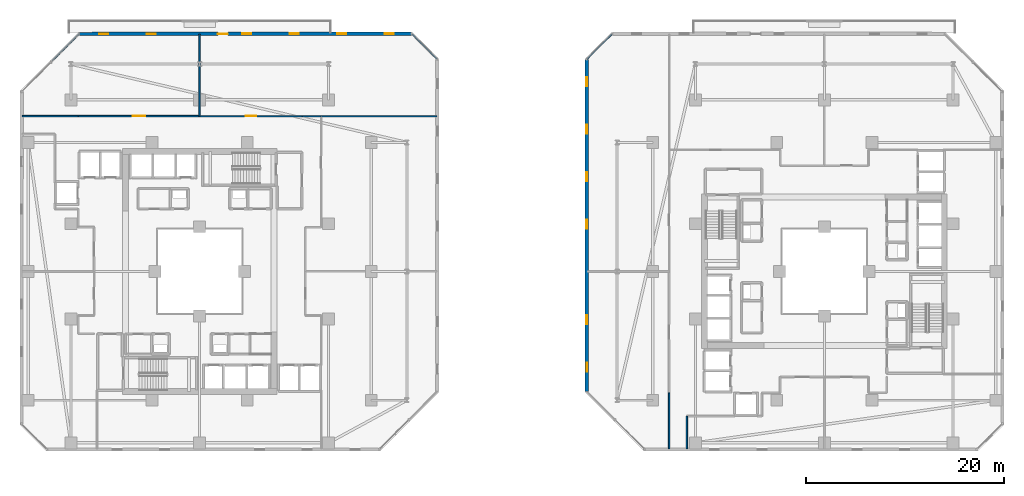
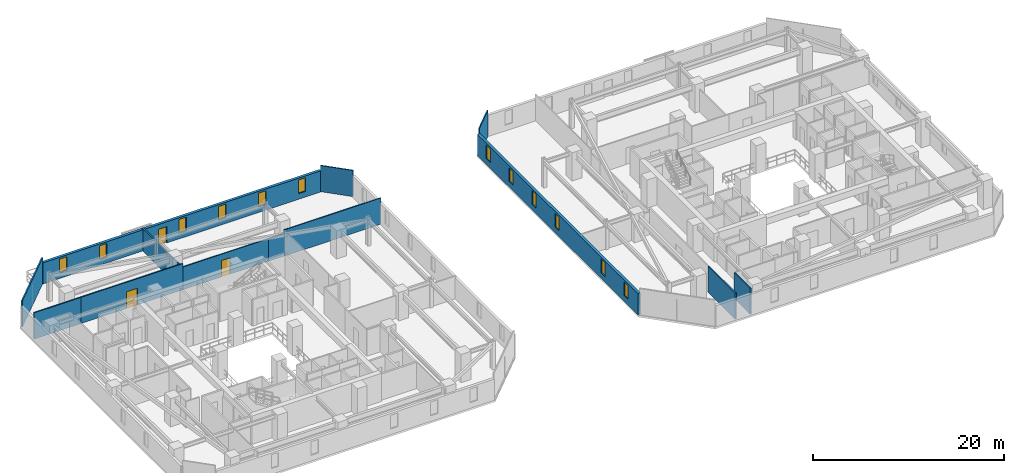
# One storey, part 19 of 30: 13 walls, 12 windows, 3 doors, 15 openings.
"""IFC4 building model written with IfcOpenShell, lengths in metres."""

from ifc_helpers import new_model, si_unit, direction, frame, frame_2d, origin, place, context, subcontext, project, spatial, rectangle, extrude, material, layer, layer_set, type_object, element, fill, save


model = new_model("IFC4")

# Units and contexts
model_context = context("Model", 3, precision=1e-05, world=origin(), true_north=direction((0.0, 1.0)))
body_context = subcontext(model_context, "Body", "Model", "MODEL_VIEW")
ifc_project = project(units=[si_unit("LENGTHUNIT", "METRE"), si_unit("AREAUNIT", "SQUARE_METRE"), si_unit("VOLUMEUNIT", "CUBIC_METRE"), si_unit("PLANEANGLEUNIT", "RADIAN"), si_unit("MASSUNIT", "GRAM", prefix="KILO")], contexts=[model_context])

# Site, building, storey
site_placement = place(None, origin())
site = spatial("IfcSite", under=ifc_project, at=site_placement, CompositionType="ELEMENT")
building_placement = place(site_placement, origin())
building = spatial("IfcBuilding", under=site, at=building_placement, Name="Thornwick Lancets Civic Towers", CompositionType="ELEMENT")
storey_placement = place(building_placement, frame((0.0, 0.0, 80.10009765625)))
storey = spatial("IfcBuildingStorey", under=building, at=storey_placement, Name="L20", CompositionType="ELEMENT", Elevation=80.10009765625)

# Wall, openings, door, windows
ifc_material_1 = material(Name="Insulated buff terracotta rainscreen on concrete C40/50", Category="masonry")
ifc_layer_1 = layer(ifc_material_1, 0.320068359375, Name="Insulated buff terracotta rainscreen on concrete C40/50")
ifc_layer_set_1 = layer_set([ifc_layer_1], Name="Insulated buff terracotta rainscreen on concrete C40/50")
wall_type_1 = type_object("IfcWallType", Name="WALL_EXT_TERRA_320", PredefinedType="STANDARD", material=ifc_layer_set_1)
wall_1_placement = place(storey_placement, frame((46.88134765625, 50.964599609375, 0.0), z_axis=(0.0, 0.0, 1.0), x_axis=(-0.999999950907, -0.000313347115, 0.0)))
wall_1 = element("IfcWall", 1, at=wall_1_placement, inside=storey, type_object=wall_type_1, Name="L20 Tower A Terracotta Facade Wall E4", PredefinedType="STANDARD", context=body_context, shape_type="SweptSolid", body=[
    extrude(rectangle(XDim=33.5029296875, YDim=0.320068359375, at=frame_2d((16.75146484375, 0.0))), origin(), (0.0, 0.0, 1.0), 2.699951171875),
])
opening_1_placement = place(wall_1_placement, frame((18.551513671875, 0.0, 0.0)))
opening_1 = element("IfcOpeningElement", 2, at=opening_1_placement, cuts=wall_1, Name="Opening D-BL-L20-AN", PredefinedType="OPENING", context=body_context, shape_type="SweptSolid", body=[
    extrude(rectangle(XDim=1.0, YDim=2.080078125, at=frame_2d((0.5, 1.0400390625))), frame((0.0, 0.169921875, 0.0), z_axis=(0.0, -1.0, 0.0), x_axis=(1.0, 0.0, 0.0)), (0.0, 0.0, 1.0), 0.340087890625),
])
opening_2_placement = place(wall_1_placement, frame((1.800048828125, 0.0, 0.719970703125)))
opening_2 = element("IfcOpeningElement", 3, at=opening_2_placement, cuts=wall_1, Name="Opening WL-01", PredefinedType="OPENING", context=body_context, shape_type="SweptSolid", body=[
    extrude(rectangle(XDim=0.89990234375, YDim=1.75, at=frame_2d((0.449951171875, 0.875))), frame((0.0, 0.169921875, 0.0), z_axis=(0.0, -1.0, 0.0), x_axis=(1.0, 0.0, 0.0)), (0.0, 0.0, 1.0), 0.340087890625),
])
opening_3_placement = place(wall_1_placement, frame((6.60009765625, 0.0, 0.719970703125)))
opening_3 = element("IfcOpeningElement", 4, at=opening_3_placement, cuts=wall_1, Name="Opening WL-01", PredefinedType="OPENING", context=body_context, shape_type="SweptSolid", body=[
    extrude(rectangle(XDim=0.89990234375, YDim=1.75, at=frame_2d((0.449951171875, 0.875))), frame((0.0, 0.169921875, 0.0), z_axis=(0.0, -1.0, 0.0), x_axis=(1.0, 0.0, 0.0)), (0.0, 0.0, 1.0), 0.340087890625),
])
opening_4_placement = place(wall_1_placement, frame((11.39990234375, 0.0, 0.719970703125)))
opening_4 = element("IfcOpeningElement", 5, at=opening_4_placement, cuts=wall_1, Name="Opening WL-01", PredefinedType="OPENING", context=body_context, shape_type="SweptSolid", body=[
    extrude(rectangle(XDim=0.89990234375, YDim=1.75, at=frame_2d((0.449951171875, 0.875))), frame((0.0, 0.169921875, 0.0), z_axis=(0.0, -1.0, 0.0), x_axis=(1.0, 0.0, 0.0)), (0.0, 0.0, 1.0), 0.340087890625),
])
opening_5_placement = place(wall_1_placement, frame((16.199951171875, 0.0, 0.719970703125)))
opening_5 = element("IfcOpeningElement", 6, at=opening_5_placement, cuts=wall_1, Name="Opening WL-01", PredefinedType="OPENING", context=body_context, shape_type="SweptSolid", body=[
    extrude(rectangle(XDim=0.89990234375, YDim=1.75, at=frame_2d((0.449951171875, 0.875))), frame((0.0, 0.169921875, 0.0), z_axis=(0.0, -1.0, 0.0), x_axis=(1.0, 0.0, 0.0)), (0.0, 0.0, 1.0), 0.340087890625),
])
opening_6_placement = place(wall_1_placement, frame((25.800048828125, 0.0, 0.719970703125)))
opening_6 = element("IfcOpeningElement", 7, at=opening_6_placement, cuts=wall_1, Name="Opening WL-01", PredefinedType="OPENING", context=body_context, shape_type="SweptSolid", body=[
    extrude(rectangle(XDim=0.89990234375, YDim=1.75, at=frame_2d((0.449951171875, 0.875))), frame((0.0, 0.169921875, 0.0), z_axis=(0.0, -1.0, 0.0), x_axis=(1.0, 0.0, 0.0)), (0.0, 0.0, 1.0), 0.340087890625),
])
opening_7_placement = place(wall_1_placement, frame((30.60009765625, 0.0, 0.719970703125)))
opening_7 = element("IfcOpeningElement", 8, at=opening_7_placement, cuts=wall_1, Name="Opening WL-01", PredefinedType="OPENING", context=body_context, shape_type="SweptSolid", body=[
    extrude(rectangle(XDim=0.89990234375, YDim=1.75, at=frame_2d((0.449951171875, 0.875))), frame((0.0, 0.169921875, 0.0), z_axis=(0.0, -1.0, 0.0), x_axis=(1.0, 0.0, 0.0)), (0.0, 0.0, 1.0), 0.340087890625),
])
ifc_material_2 = material(Name="Thermally broken glazed loggia doorset")
door_type_1 = type_object("IfcDoorType", Name="DOOR_BALC_1000", OperationType="NOTDEFINED", PredefinedType="DOOR", material=ifc_material_2)
door_1_placement = place(opening_1_placement, origin())
door_1 = element("IfcDoor", 9, at=door_1_placement, inside=storey, type_object=door_type_1, Name="L20 Tower A Loggia Balcony Door N", OperationType="SINGLE_SWING_LEFT", OverallHeight=2.080078125, OverallWidth=1.0, PredefinedType="DOOR", context=body_context, shape_type="SweptSolid", body=[
    extrude(rectangle(XDim=1.0, YDim=2.080078125, at=frame_2d((0.5, 1.0400390625))), frame((0.0, 0.02490234375, 0.0), z_axis=(0.0, -1.0, 0.0), x_axis=(1.0, 0.0, 0.0)), (0.0, 0.0, 1.0), 0.050048828125),
])
fill(opening_1, door_1)
ifc_material_3 = material(Name="Clear low-e double glazing in bronze frame", Category="glass")
window_type = type_object("IfcWindowType", Name="WIN_LANCET_900", PartitioningType="SINGLE_PANEL", PredefinedType="WINDOW", material=ifc_material_3)
window_1_placement = place(opening_2_placement, origin())
window_1 = element("IfcWindow", 10, at=window_1_placement, inside=storey, type_object=window_type, Name="L20 Tower A Staggered Lancet Window E4-1", OverallHeight=1.75, OverallWidth=0.89990234375, PartitioningType="SINGLE_PANEL", PredefinedType="WINDOW", context=body_context, shape_type="SweptSolid", body=[
    extrude(rectangle(XDim=0.89990234375, YDim=1.75, at=frame_2d((0.449951171875, 0.875))), frame((0.0, 0.030029296875, 0.0), z_axis=(0.0, -1.0, 0.0), x_axis=(1.0, 0.0, 0.0)), (0.0, 0.0, 1.0), 0.06005859375),
])
fill(opening_2, window_1)
window_2_placement = place(opening_3_placement, origin())
window_2 = element("IfcWindow", 11, at=window_2_placement, inside=storey, type_object=window_type, Name="L20 Tower A Staggered Lancet Window E4-2", OverallHeight=1.75, OverallWidth=0.89990234375, PartitioningType="SINGLE_PANEL", PredefinedType="WINDOW", context=body_context, shape_type="SweptSolid", body=[
    extrude(rectangle(XDim=0.89990234375, YDim=1.75, at=frame_2d((0.449951171875, 0.875))), frame((0.0, 0.030029296875, 0.0), z_axis=(0.0, -1.0, 0.0), x_axis=(1.0, 0.0, 0.0)), (0.0, 0.0, 1.0), 0.06005859375),
])
fill(opening_3, window_2)
window_3_placement = place(opening_4_placement, origin())
window_3 = element("IfcWindow", 12, at=window_3_placement, inside=storey, type_object=window_type, Name="L20 Tower A Staggered Lancet Window E4-3", OverallHeight=1.75, OverallWidth=0.89990234375, PartitioningType="SINGLE_PANEL", PredefinedType="WINDOW", context=body_context, shape_type="SweptSolid", body=[
    extrude(rectangle(XDim=0.89990234375, YDim=1.75, at=frame_2d((0.449951171875, 0.875))), frame((0.0, 0.030029296875, 0.0), z_axis=(0.0, -1.0, 0.0), x_axis=(1.0, 0.0, 0.0)), (0.0, 0.0, 1.0), 0.06005859375),
])
fill(opening_4, window_3)
window_4_placement = place(opening_5_placement, origin())
window_4 = element("IfcWindow", 13, at=window_4_placement, inside=storey, type_object=window_type, Name="L20 Tower A Staggered Lancet Window E4-4", OverallHeight=1.75, OverallWidth=0.89990234375, PartitioningType="SINGLE_PANEL", PredefinedType="WINDOW", context=body_context, shape_type="SweptSolid", body=[
    extrude(rectangle(XDim=0.89990234375, YDim=1.75, at=frame_2d((0.449951171875, 0.875))), frame((0.0, 0.030029296875, 0.0), z_axis=(0.0, -1.0, 0.0), x_axis=(1.0, 0.0, 0.0)), (0.0, 0.0, 1.0), 0.06005859375),
])
fill(opening_5, window_4)
window_5_placement = place(opening_6_placement, origin())
window_5 = element("IfcWindow", 14, at=window_5_placement, inside=storey, type_object=window_type, Name="L20 Tower A Staggered Lancet Window E4-5", OverallHeight=1.75, OverallWidth=0.89990234375, PartitioningType="SINGLE_PANEL", PredefinedType="WINDOW", context=body_context, shape_type="SweptSolid", body=[
    extrude(rectangle(XDim=0.89990234375, YDim=1.75, at=frame_2d((0.449951171875, 0.875))), frame((0.0, 0.030029296875, 0.0), z_axis=(0.0, -1.0, 0.0), x_axis=(1.0, 0.0, 0.0)), (0.0, 0.0, 1.0), 0.06005859375),
])
fill(opening_6, window_5)
window_6_placement = place(opening_7_placement, origin())
window_6 = element("IfcWindow", 15, at=window_6_placement, inside=storey, type_object=window_type, Name="L20 Tower A Staggered Lancet Window E4-6", OverallHeight=1.75, OverallWidth=0.89990234375, PartitioningType="SINGLE_PANEL", PredefinedType="WINDOW", context=body_context, shape_type="SweptSolid", body=[
    extrude(rectangle(XDim=0.89990234375, YDim=1.75, at=frame_2d((0.449951171875, 0.875))), frame((0.0, 0.030029296875, 0.0), z_axis=(0.0, -1.0, 0.0), x_axis=(1.0, 0.0, 0.0)), (0.0, 0.0, 1.0), 0.06005859375),
])
fill(opening_7, window_6)

# Wall, openings, windows
wall_2_placement = place(storey_placement, frame((64.535400390625, 48.38134765625, 0.0), z_axis=(0.0, 0.0, 1.0), x_axis=(0.000313347115, -0.999999950907, 0.0)))
wall_2 = element("IfcWall", 16, at=wall_2_placement, inside=storey, type_object=wall_type_1, Name="L20 Tower B Terracotta Facade Wall E6", PredefinedType="STANDARD", context=body_context, shape_type="SweptSolid", body=[
    extrude(rectangle(XDim=33.5029296875, YDim=0.320068359375, at=frame_2d((16.75146484375, 0.0))), origin(), (0.0, 0.0, 1.0), 2.699951171875),
])
opening_8_placement = place(wall_2_placement, frame((1.800048828125, 0.0, 0.719970703125)))
opening_8 = element("IfcOpeningElement", 17, at=opening_8_placement, cuts=wall_2, Name="Opening WL-01", PredefinedType="OPENING", context=body_context, shape_type="SweptSolid", body=[
    extrude(rectangle(XDim=0.89990234375, YDim=1.75, at=frame_2d((0.449951171875, 0.875))), frame((0.0, 0.169921875, 0.0), z_axis=(0.0, -1.0, 0.0), x_axis=(1.0, 0.0, 0.0)), (0.0, 0.0, 1.0), 0.340087890625),
])
opening_9_placement = place(wall_2_placement, frame((6.60009765625, 0.0, 0.719970703125)))
opening_9 = element("IfcOpeningElement", 18, at=opening_9_placement, cuts=wall_2, Name="Opening WL-01", PredefinedType="OPENING", context=body_context, shape_type="SweptSolid", body=[
    extrude(rectangle(XDim=0.89990234375, YDim=1.75, at=frame_2d((0.449951171875, 0.875))), frame((0.0, 0.169921875, 0.0), z_axis=(0.0, -1.0, 0.0), x_axis=(1.0, 0.0, 0.0)), (0.0, 0.0, 1.0), 0.340087890625),
])
opening_10_placement = place(wall_2_placement, frame((11.39990234375, 0.0, 0.719970703125)))
opening_10 = element("IfcOpeningElement", 19, at=opening_10_placement, cuts=wall_2, Name="Opening WL-01", PredefinedType="OPENING", context=body_context, shape_type="SweptSolid", body=[
    extrude(rectangle(XDim=0.89990234375, YDim=1.75, at=frame_2d((0.449951171875, 0.875))), frame((0.0, 0.169921875, 0.0), z_axis=(0.0, -1.0, 0.0), x_axis=(1.0, 0.0, 0.0)), (0.0, 0.0, 1.0), 0.340087890625),
])
opening_11_placement = place(wall_2_placement, frame((16.199951171875, 0.0, 0.719970703125)))
opening_11 = element("IfcOpeningElement", 20, at=opening_11_placement, cuts=wall_2, Name="Opening WL-01", PredefinedType="OPENING", context=body_context, shape_type="SweptSolid", body=[
    extrude(rectangle(XDim=0.89990234375, YDim=1.75, at=frame_2d((0.449951171875, 0.875))), frame((0.0, 0.169921875, 0.0), z_axis=(0.0, -1.0, 0.0), x_axis=(1.0, 0.0, 0.0)), (0.0, 0.0, 1.0), 0.340087890625),
])
opening_12_placement = place(wall_2_placement, frame((25.800048828125, 0.0, 0.719970703125)))
opening_12 = element("IfcOpeningElement", 21, at=opening_12_placement, cuts=wall_2, Name="Opening WL-01", PredefinedType="OPENING", context=body_context, shape_type="SweptSolid", body=[
    extrude(rectangle(XDim=0.89990234375, YDim=1.75, at=frame_2d((0.449951171875, 0.875))), frame((0.0, 0.169921875, 0.0), z_axis=(0.0, -1.0, 0.0), x_axis=(1.0, 0.0, 0.0)), (0.0, 0.0, 1.0), 0.340087890625),
])
opening_13_placement = place(wall_2_placement, frame((30.60009765625, 0.0, 0.719970703125)))
opening_13 = element("IfcOpeningElement", 22, at=opening_13_placement, cuts=wall_2, Name="Opening WL-01", PredefinedType="OPENING", context=body_context, shape_type="SweptSolid", body=[
    extrude(rectangle(XDim=0.89990234375, YDim=1.75, at=frame_2d((0.449951171875, 0.875))), frame((0.0, 0.169921875, 0.0), z_axis=(0.0, -1.0, 0.0), x_axis=(1.0, 0.0, 0.0)), (0.0, 0.0, 1.0), 0.340087890625),
])
window_7_placement = place(opening_8_placement, origin())
window_7 = element("IfcWindow", 23, at=window_7_placement, inside=storey, type_object=window_type, Name="L20 Tower B Staggered Lancet Window E6-1", OverallHeight=1.75, OverallWidth=0.89990234375, PartitioningType="SINGLE_PANEL", PredefinedType="WINDOW", context=body_context, shape_type="SweptSolid", body=[
    extrude(rectangle(XDim=0.89990234375, YDim=1.75, at=frame_2d((0.449951171875, 0.875))), frame((0.0, 0.030029296875, 0.0), z_axis=(0.0, -1.0, 0.0), x_axis=(1.0, 0.0, 0.0)), (0.0, 0.0, 1.0), 0.06005859375),
])
fill(opening_8, window_7)
window_8_placement = place(opening_9_placement, origin())
window_8 = element("IfcWindow", 24, at=window_8_placement, inside=storey, type_object=window_type, Name="L20 Tower B Staggered Lancet Window E6-2", OverallHeight=1.75, OverallWidth=0.89990234375, PartitioningType="SINGLE_PANEL", PredefinedType="WINDOW", context=body_context, shape_type="SweptSolid", body=[
    extrude(rectangle(XDim=0.89990234375, YDim=1.75, at=frame_2d((0.449951171875, 0.875))), frame((0.0, 0.030029296875, 0.0), z_axis=(0.0, -1.0, 0.0), x_axis=(1.0, 0.0, 0.0)), (0.0, 0.0, 1.0), 0.06005859375),
])
fill(opening_9, window_8)
window_9_placement = place(opening_10_placement, origin())
window_9 = element("IfcWindow", 25, at=window_9_placement, inside=storey, type_object=window_type, Name="L20 Tower B Staggered Lancet Window E6-3", OverallHeight=1.75, OverallWidth=0.89990234375, PartitioningType="SINGLE_PANEL", PredefinedType="WINDOW", context=body_context, shape_type="SweptSolid", body=[
    extrude(rectangle(XDim=0.89990234375, YDim=1.75, at=frame_2d((0.449951171875, 0.875))), frame((0.0, 0.030029296875, 0.0), z_axis=(0.0, -1.0, 0.0), x_axis=(1.0, 0.0, 0.0)), (0.0, 0.0, 1.0), 0.06005859375),
])
fill(opening_10, window_9)
window_10_placement = place(opening_11_placement, origin())
window_10 = element("IfcWindow", 26, at=window_10_placement, inside=storey, type_object=window_type, Name="L20 Tower B Staggered Lancet Window E6-4", OverallHeight=1.75, OverallWidth=0.89990234375, PartitioningType="SINGLE_PANEL", PredefinedType="WINDOW", context=body_context, shape_type="SweptSolid", body=[
    extrude(rectangle(XDim=0.89990234375, YDim=1.75, at=frame_2d((0.449951171875, 0.875))), frame((0.0, 0.030029296875, 0.0), z_axis=(0.0, -1.0, 0.0), x_axis=(1.0, 0.0, 0.0)), (0.0, 0.0, 1.0), 0.06005859375),
])
fill(opening_11, window_10)
window_11_placement = place(opening_12_placement, origin())
window_11 = element("IfcWindow", 27, at=window_11_placement, inside=storey, type_object=window_type, Name="L20 Tower B Staggered Lancet Window E6-5", OverallHeight=1.75, OverallWidth=0.89990234375, PartitioningType="SINGLE_PANEL", PredefinedType="WINDOW", context=body_context, shape_type="SweptSolid", body=[
    extrude(rectangle(XDim=0.89990234375, YDim=1.75, at=frame_2d((0.449951171875, 0.875))), frame((0.0, 0.030029296875, 0.0), z_axis=(0.0, -1.0, 0.0), x_axis=(1.0, 0.0, 0.0)), (0.0, 0.0, 1.0), 0.06005859375),
])
fill(opening_12, window_11)
window_12_placement = place(opening_13_placement, origin())
window_12 = element("IfcWindow", 28, at=window_12_placement, inside=storey, type_object=window_type, Name="L20 Tower B Staggered Lancet Window E6-6", OverallHeight=1.75, OverallWidth=0.89990234375, PartitioningType="SINGLE_PANEL", PredefinedType="WINDOW", context=body_context, shape_type="SweptSolid", body=[
    extrude(rectangle(XDim=0.89990234375, YDim=1.75, at=frame_2d((0.449951171875, 0.875))), frame((0.0, 0.030029296875, 0.0), z_axis=(0.0, -1.0, 0.0), x_axis=(1.0, 0.0, 0.0)), (0.0, 0.0, 1.0), 0.06005859375),
])
fill(opening_13, window_12)

# Walls
ifc_material_4 = material(Name="Acoustic gypsum board partition")
ifc_layer_2 = layer(ifc_material_4, 0.1201171875, Name="Acoustic gypsum board partition")
ifc_layer_set_2 = layer_set([ifc_layer_2], Name="Acoustic gypsum board partition")
wall_type_2 = type_object("IfcWallType", Name="WALL_PART_120", PredefinedType="PARTITIONING", material=ifc_layer_set_2)
wall_3_placement = place(storey_placement, frame((37.75, 42.64990234375, 0.0), z_axis=(0.0, 0.0, 1.0), x_axis=(1.0, 0.0, 0.0)))
element("IfcWall", 29, at=wall_3_placement, inside=storey, type_object=wall_type_2, Name="L20 Partition L20-A-E2 E4", PredefinedType="PARTITIONING", context=body_context, shape_type="SweptSolid", body=[
    extrude(rectangle(XDim=11.669921875, YDim=0.1201171875, at=frame_2d((5.8349609375, 0.0))), origin(), (0.0, 0.0, 1.0), 3.33984375),
])
wall_4_placement = place(storey_placement, frame((37.75, 42.64990234375, 0.0), z_axis=(0.0, 0.0, 1.0), x_axis=(-1.0, 0.0, 0.0)))
element("IfcWall", 30, at=wall_4_placement, inside=storey, type_object=wall_type_2, Name="L20 Partition L20-A-N-OFF E1", PredefinedType="PARTITIONING", context=body_context, shape_type="SweptSolid", body=[
    extrude(rectangle(XDim=1.89990234375, YDim=0.1201171875, at=frame_2d((0.949951171875, 0.0))), origin(), (0.0, 0.0, 1.0), 2.89501953125),
])

# Wall, opening, door
wall_5_placement = place(storey_placement, frame((35.85009765625, 42.64990234375, 0.0), z_axis=(0.0, 0.0, 1.0), x_axis=(-1.0, 0.0, 0.0)))
wall_5 = element("IfcWall", 31, at=wall_5_placement, inside=storey, type_object=wall_type_2, Name="L20 Partition L20-A-N-OFF E2", PredefinedType="PARTITIONING", context=body_context, shape_type="SweptSolid", body=[
    extrude(rectangle(XDim=10.35009765625, YDim=0.1201171875, at=frame_2d((5.175048828125, 0.0))), origin(), (0.0, 0.0, 1.0), 2.89501953125),
])
opening_14_placement = place(wall_5_placement, frame((4.64990234375, 0.0, 0.0)))
opening_14 = element("IfcOpeningElement", 32, at=opening_14_placement, cuts=wall_5, Name="Opening D-L20-0958", PredefinedType="OPENING", context=body_context, shape_type="SweptSolid", body=[
    extrude(rectangle(XDim=1.050048828125, YDim=2.10009765625, at=frame_2d((0.52490234375, 1.050048828125))), frame((0.0, 0.070068359375, 0.0), z_axis=(0.0, -1.0, 0.0), x_axis=(1.0, 0.0, 0.0)), (0.0, 0.0, 1.0), 0.14013671875),
])
ifc_material_5 = material(Name="Glazed European oak executive doorset")
door_type_2 = type_object("IfcDoorType", Name="DOOR_OFFICE_1050", OperationType="NOTDEFINED", PredefinedType="DOOR", material=ifc_material_5)
door_2_placement = place(opening_14_placement, origin())
door_2 = element("IfcDoor", 33, at=door_2_placement, inside=storey, type_object=door_type_2, Name="L20 Tower A North Policy Office Door", OperationType="SINGLE_SWING_LEFT", OverallHeight=2.10009765625, OverallWidth=1.050048828125, PredefinedType="DOOR", context=body_context, shape_type="SweptSolid", body=[
    extrude(rectangle(XDim=1.050048828125, YDim=2.10009765625, at=frame_2d((0.52490234375, 1.050048828125))), frame((0.0, 0.02490234375, 0.0), z_axis=(0.0, -1.0, 0.0), x_axis=(1.0, 0.0, 0.0)), (0.0, 0.0, 1.0), 0.050048828125),
])
fill(opening_14, door_2)

# Walls
for number, where, z_axis, x_axis, name in (
    (34, (46.92529296875, 50.919921875, 0.0), (0.0, 0.0, 1.0), (0.707106781187, -0.707106781187, 0.0), "L20 Partition L20-A-N-OFF E5"),
    (35, (64.580078125, 48.42529296875, 0.0), (0.0, 0.0, 1.0), (0.707106781187, 0.707106781187, 0.0), "L20 Partition L20-B-N-OFF E2"),
):
    element("IfcWall", number, at=place(storey_placement, frame(where, z_axis=z_axis, x_axis=x_axis)), inside=storey, type_object=wall_type_2, Name=name, PredefinedType="PARTITIONING", context=body_context, shape_type="SweptSolid", body=[
        extrude(rectangle(XDim=3.52783203125, YDim=0.1201171875, at=frame_2d((1.763916015625, 0.0))), origin(), (0.0, 0.0, 1.0), 3.33984375),
    ])
ifc_material_6 = material(Name="Twin-stud acoustic gypsum board")
ifc_layer_3 = layer(ifc_material_6, 0.14990234375, Name="Twin-stud acoustic gypsum board")
ifc_layer_set_3 = layer_set([ifc_layer_3], Name="Twin-stud acoustic gypsum board")
wall_type_3 = type_object("IfcWallType", Name="WALL_PART_150", PredefinedType="PARTITIONING", material=ifc_layer_set_3)
wall_6_placement = place(storey_placement, frame((13.25, 42.64990234375, 0.0), z_axis=(0.0, 0.0, 1.0), x_axis=(-1.0, 0.0, 0.0)))
element("IfcWall", 36, at=wall_6_placement, inside=storey, type_object=wall_type_3, Name="L20 Partition L20-A-N-CONF E1", PredefinedType="PARTITIONING", context=body_context, shape_type="SweptSolid", body=[
    extrude(rectangle(XDim=5.669921875, YDim=0.14990234375, at=frame_2d((2.8349609375, 0.0))), origin(), (0.0, 0.0, 1.0), 3.33984375),
])
wall_7_placement = place(storey_placement, frame((7.580078125, 45.15234375, 0.0), z_axis=(0.0, 0.0, 1.0), x_axis=(0.707106781187, 0.707106781187, 0.0)))
element("IfcWall", 37, at=wall_7_placement, inside=storey, type_object=wall_type_3, Name="L20 Partition L20-A-N-CONF E3", PredefinedType="PARTITIONING", context=body_context, shape_type="SweptSolid", body=[
    extrude(rectangle(XDim=8.156494140625, YDim=0.14990234375, at=frame_2d((4.078125, 0.0))), origin(), (0.0, 0.0, 1.0), 3.33984375),
])
wall_8_placement = place(storey_placement, frame((25.5, 50.919921875, 0.0), z_axis=(0.0, 0.0, 1.0), x_axis=(0.0, -1.0, 0.0)))
element("IfcWall", 38, at=wall_8_placement, inside=storey, type_object=wall_type_3, Name="L20 Partition L20-A-N-CONF E5", PredefinedType="PARTITIONING", context=body_context, shape_type="SweptSolid", body=[
    extrude(rectangle(XDim=8.27001953125, YDim=0.14990234375, at=frame_2d((4.135009765625, 0.0))), origin(), (0.0, 0.0, 1.0), 2.881591796875),
])

# Wall, opening, door
wall_9_placement = place(storey_placement, frame((25.5, 42.64990234375, 0.0), z_axis=(0.0, 0.0, 1.0), x_axis=(-1.0, 0.0, 0.0)))
wall_9 = element("IfcWall", 39, at=wall_9_placement, inside=storey, type_object=wall_type_3, Name="L20 Partition L20-A-N-CONF E6", PredefinedType="PARTITIONING", context=body_context, shape_type="SweptSolid", body=[
    extrude(rectangle(XDim=12.25, YDim=0.14990234375, at=frame_2d((6.125, 0.0))), origin(), (0.0, 0.0, 1.0), 3.33984375),
])
opening_15_placement = place(wall_9_placement, frame((5.47509765625, 0.0, 0.0)))
opening_15 = element("IfcOpeningElement", 40, at=opening_15_placement, cuts=wall_9, Name="Opening D-L20-0957", PredefinedType="OPENING", context=body_context, shape_type="SweptSolid", body=[
    extrude(rectangle(XDim=1.300048828125, YDim=2.1201171875, at=frame_2d((0.64990234375, 1.06005859375))), frame((0.0, 0.0849609375, 0.0), z_axis=(0.0, -1.0, 0.0), x_axis=(1.0, 0.0, 0.0)), (0.0, 0.0, 1.0), 0.169921875),
])
ifc_material_7 = material(Name="Acoustic oak leaf-and-a-half doorset")
door_type_3 = type_object("IfcDoorType", Name="DOOR_MEET_1300", OperationType="DOUBLE_DOOR_SINGLE_SWING", PredefinedType="DOOR", material=ifc_material_7)
door_3_placement = place(opening_15_placement, origin())
door_3 = element("IfcDoor", 41, at=door_3_placement, inside=storey, type_object=door_type_3, Name="L20 Tower A North Conference Room Door", OperationType="DOUBLE_DOOR_SINGLE_SWING", OverallHeight=2.1201171875, OverallWidth=1.300048828125, PredefinedType="DOOR", context=body_context, shape_type="SweptSolid", body=[
    extrude(rectangle(XDim=1.300048828125, YDim=2.1201171875, at=frame_2d((0.64990234375, 1.06005859375))), frame((0.0, 0.02490234375, 0.0), z_axis=(0.0, -1.0, 0.0), x_axis=(1.0, 0.0, 0.0)), (0.0, 0.0, 1.0), 0.050048828125),
])
fill(opening_15, door_3)

# Walls
wall_10_placement = place(storey_placement, frame((74.64990234375, 9.080078125, 0.0), z_axis=(0.0, 0.0, 1.0), x_axis=(0.0, 1.0, 0.0)))
element("IfcWall", 42, at=wall_10_placement, inside=storey, type_object=wall_type_3, Name="L20 Partition L20-B-W2 E8", PredefinedType="PARTITIONING", context=body_context, shape_type="SweptSolid", body=[
    extrude(rectangle(XDim=3.31982421875, YDim=0.14990234375, at=frame_2d((1.659912109375, 0.0))), origin(), (0.0, 0.0, 1.0), 3.33984375),
])
wall_11_placement = place(storey_placement, frame((72.85009765625, 14.75, 0.0), z_axis=(0.0, 0.0, 1.0), x_axis=(0.0, -1.0, 0.0)))
element("IfcWall", 43, at=wall_11_placement, inside=storey, type_object=wall_type_3, Name="L20 Partition L20-B-N-CONF E1", PredefinedType="PARTITIONING", context=body_context, shape_type="SweptSolid", body=[
    extrude(rectangle(XDim=5.669921875, YDim=0.14990234375, at=frame_2d((2.8349609375, 0.0))), origin(), (0.0, 0.0, 1.0), 3.33984375),
])

save(model, "model.ifc")
